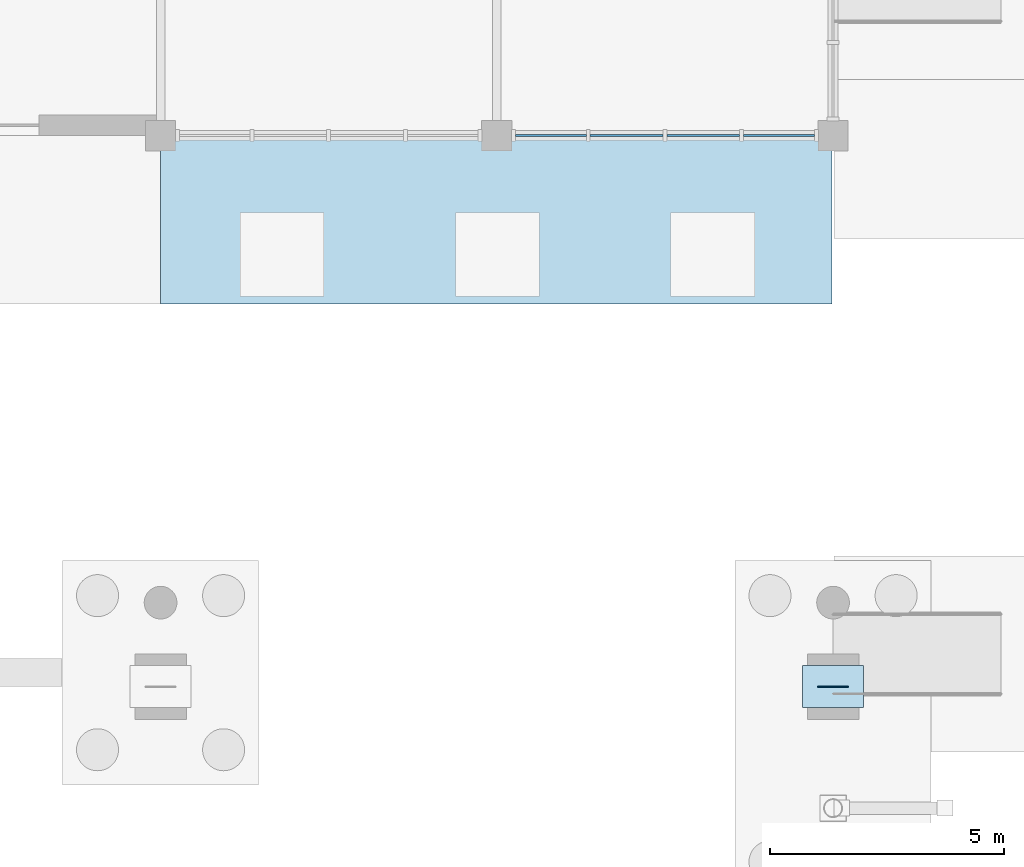
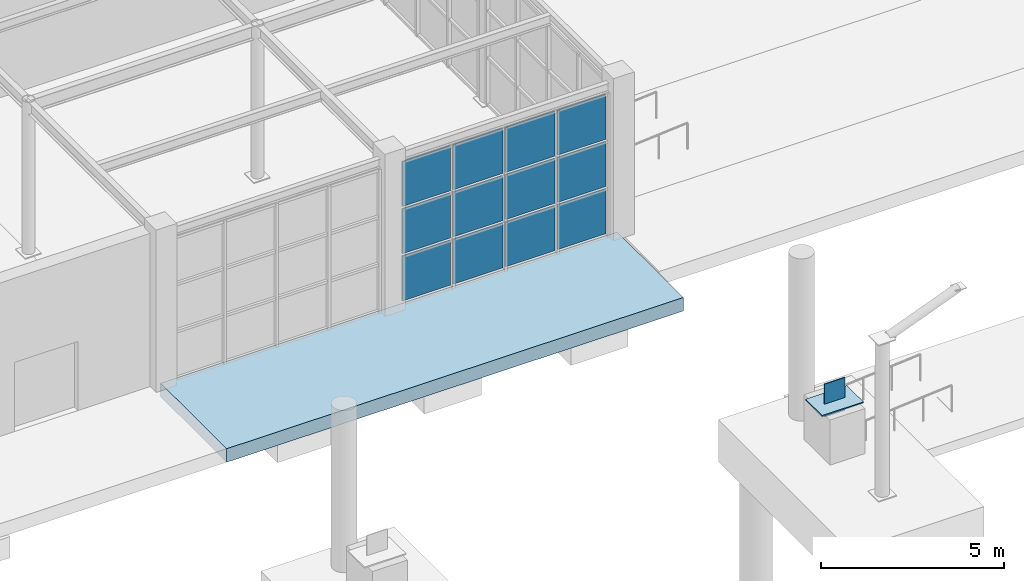
# One storey, part 43 of 75: 14 plates, 1 slab, 1 element without a shape of its own.
"""IFC4 building model written with IfcOpenShell, lengths in metres."""

import ifcopenshell
import ifcopenshell.guid

model = None  # the IFC model being written
_history = None  # IfcOwnerHistory: only IFC2X3 demands one
_inside = {}  # id of a spatial element -> (the spatial element, [elements in it])
_under = {}  # id of a project, library or spatial element -> (it, [spatial elements below it])
_declared = {}  # id of a project -> (the project, [libraries it declares])
_typed = {}  # id of a type object -> (the type object, [elements of that type])
_made_of = {}  # id of a material, layer set ... -> (it, [elements and type objects made of it])


def new_model(schema):
    """Start an empty IFC model of exactly this schema.

    Asked for "IFC4X3", IfcOpenShell would pick the latest addendum, in which some entities
    have other attributes; the version numbers below select the first issue.
    IFC2X3 requires an IfcOwnerHistory on every rooted entity: one is made here for all.
    """
    global model, _history
    if schema == "IFC4X3":
        model = ifcopenshell.file(schema_version=(4, 3, 0, 0))
    else:
        model = ifcopenshell.file(schema=schema)
    _inside.clear()
    _under.clear()
    _declared.clear()
    _typed.clear()
    _made_of.clear()
    _history = None
    if model.schema == "IFC2X3":
        org = make("IfcOrganization", Name="unknown")
        user = make(
            "IfcPersonAndOrganization",
            ThePerson=make("IfcPerson", FamilyName="unknown"),
            TheOrganization=org,
        )
        app = make(
            "IfcApplication",
            ApplicationDeveloper=org,
            Version="unknown",
            ApplicationFullName="unknown",
            ApplicationIdentifier="unknown",
        )
        _history = make(
            "IfcOwnerHistory",
            OwningUser=user,
            OwningApplication=app,
            ChangeAction="ADDED",
            CreationDate=0,
        )
    return model


def make(cls, **values):
    """One entity of the class cls with the attributes given. An attribute that is None is left unset."""
    return model.create_entity(
        cls, **{name: value for name, value in values.items() if value is not None}
    )


def rooted(cls, **values):
    """An entity with a GlobalId (a new one), such as an element, a storey or a relation."""
    return make(cls, GlobalId=ifcopenshell.guid.new(), OwnerHistory=_history, **values)


def si_unit(unit_type, name, prefix=None):
    """IfcSIUnit, for example si_unit("LENGTHUNIT", "METRE", prefix="MILLI")."""
    return make("IfcSIUnit", UnitType=unit_type, Prefix=prefix, Name=name)


def assignment(units):
    """IfcUnitAssignment: the units of a project."""
    return None if units is None else make("IfcUnitAssignment", Units=units)


def point(xyz):
    """IfcCartesianPoint."""
    return None if xyz is None else make("IfcCartesianPoint", Coordinates=xyz)


def direction(xyz):
    """IfcDirection."""
    return None if xyz is None else make("IfcDirection", DirectionRatios=xyz)


def frame(location, z_axis=None, x_axis=None):
    """IfcAxis2Placement3D, a coordinate frame: its origin and axes. An axis left out is left unset."""
    return make(
        "IfcAxis2Placement3D",
        Location=point(location),
        Axis=direction(z_axis),
        RefDirection=direction(x_axis),
    )


def frame_2d(location, x_axis=None):
    """IfcAxis2Placement2D, a coordinate frame in the plane: its origin and x axis."""
    return make(
        "IfcAxis2Placement2D", Location=point(location), RefDirection=direction(x_axis)
    )


def origin():
    """The frame at (0, 0, 0) with its axes left unset."""
    return frame((0.0, 0.0, 0.0))


def origin_2d():
    """The frame at (0, 0) in the plane with its x axis left unset."""
    return frame_2d((0.0, 0.0))


def place(relative_to, where):
    """IfcLocalPlacement: puts the frame where relative to a parent placement (None: the world)."""
    return make(
        "IfcLocalPlacement", PlacementRelTo=relative_to, RelativePlacement=where
    )


def context(
    kind, dimensions, precision=None, world=None, true_north=None, identifier=None
):
    """IfcGeometricRepresentationContext, for example the 3D "Model" context."""
    return make(
        "IfcGeometricRepresentationContext",
        ContextIdentifier=identifier,
        ContextType=kind,
        CoordinateSpaceDimension=dimensions,
        Precision=precision,
        WorldCoordinateSystem=world,
        TrueNorth=true_north,
    )


def subcontext(parent, identifier, kind, view, scale=None):
    """IfcGeometricRepresentationSubContext, for example "Body" below "Model"."""
    return make(
        "IfcGeometricRepresentationSubContext",
        ContextIdentifier=identifier,
        ContextType=kind,
        ParentContext=parent,
        TargetScale=scale,
        TargetView=view,
    )


def project(units=None, contexts=None):
    """IfcProject with its units and contexts."""
    return rooted(
        "IfcProject",
        Name="project",
        RepresentationContexts=contexts,
        UnitsInContext=assignment(units),
    )


def spatial(cls, under=None, at=None, **own):
    """A site, building, storey or space (cls), placed at a placement, below another one or the project."""
    s = rooted(cls, ObjectPlacement=at, **own)
    if under is not None:
        _under.setdefault(under.id(), (under, []))[1].append(s)
    return s


def polyline(points):
    """IfcPolyline through the points."""
    return make("IfcPolyline", Points=[point(p) for p in points])


def profile(cls, at=None, kind="AREA", **sizes):
    """A parametric profile (cls). Its sizes go by their IFC names, for example OverallWidth=200.0."""
    return make(cls, ProfileType=kind, Position=at, **sizes)


def rectangle(**sizes):
    """IfcRectangleProfileDef."""
    return profile("IfcRectangleProfileDef", **sizes)


def outline(outer, holes=None, kind="AREA"):
    """IfcArbitraryClosedProfileDef: a profile drawn as a closed curve; with holes, ...WithVoids."""
    if holes is None:
        return make("IfcArbitraryClosedProfileDef", ProfileType=kind, OuterCurve=outer)
    return make(
        "IfcArbitraryProfileDefWithVoids",
        ProfileType=kind,
        OuterCurve=outer,
        InnerCurves=holes,
    )


def extrude(swept, where, along, depth):
    """IfcExtrudedAreaSolid: the profile swept, set in the frame where, extruded along a direction by depth."""
    return make(
        "IfcExtrudedAreaSolid",
        SweptArea=swept,
        Position=where,
        ExtrudedDirection=direction(along),
        Depth=depth,
    )


def shape(context_of_items, identifier, shape_type, items):
    """IfcShapeRepresentation: the items that make up one representation, for example the "Body"."""
    return make(
        "IfcShapeRepresentation",
        ContextOfItems=context_of_items,
        RepresentationIdentifier=identifier,
        RepresentationType=shape_type,
        Items=items,
    )


def material(Name=None, Category=None):
    """IfcMaterial."""
    return make("IfcMaterial", Name=Name, Category=Category)


def layer(
    of_material, thickness, ventilated=None, Name=None, Category=None, Priority=None
):
    """IfcMaterialLayer: one layer of a wall or slab, of a material (None: an air gap)."""
    return make(
        "IfcMaterialLayer",
        Material=of_material,
        LayerThickness=thickness,
        IsVentilated=ventilated,
        Name=Name,
        Category=Category,
        Priority=Priority,
    )


def layer_set(layers, Name=None):
    """IfcMaterialLayerSet."""
    return make("IfcMaterialLayerSet", MaterialLayers=layers, LayerSetName=Name)


def made_of(thing, what):
    """Note that an element or type object is made of a material, layer set ...; save() writes the relation."""
    if what is not None:
        _made_of.setdefault(what.id(), (what, []))[1].append(thing)
    return thing


def type_object(cls, material=None, **own):
    """A type object (cls), such as IfcWallType, which elements share."""
    return made_of(rooted(cls, **own), material)


def element(
    cls,
    number,
    at=None,
    inside=None,
    cuts=None,
    type_object=None,
    material=None,
    context=None,
    identifier="Body",
    shape_type=None,
    held_by="IfcProductDefinitionShape",
    body=None,
    shapes=None,
    **own,
):
    """One element of the class cls, such as IfcWall. Its Tag is "e" and its number.

    at: its placement. inside: the storey or other place that contains it. cuts: it is an
    opening in that element (IfcRelVoidsElement). A single representation is given by context,
    identifier, shape_type and body (its items); several are given by shapes. held_by: the class
    of the entity that holds the representations. save() writes the other relations.
    """
    e = rooted(cls, Tag="e%d" % number, ObjectPlacement=at, **own)
    if body is not None:
        shapes = [shape(context, identifier, shape_type, body)]
    if shapes is not None:
        e.Representation = make(held_by, Representations=shapes)
    if inside is not None:
        _inside.setdefault(inside.id(), (inside, []))[1].append(e)
    if cuts is not None:
        rooted(
            "IfcRelVoidsElement", RelatingBuildingElement=cuts, RelatedOpeningElement=e
        )
    if type_object is not None:
        _typed.setdefault(type_object.id(), (type_object, []))[1].append(e)
    return made_of(e, material)


def aggregate(whole, parts):
    """IfcRelAggregates: a whole, such as a stair, and the parts it consists of."""
    return rooted("IfcRelAggregates", RelatingObject=whole, RelatedObjects=parts)


def save(model, path):
    """Write the relations noted so far, then the file.

    IfcRelAggregates (storeys below a building ...), IfcRelContainedInSpatialStructure (elements
    in a storey), IfcRelDefinesByType, IfcRelAssociatesMaterial and IfcRelDeclares: one each for
    every whole, place, type object, material and project.
    """
    for whole, parts in _under.values():
        aggregate(whole, parts)
    for where, things in _inside.values():
        rooted(
            "IfcRelContainedInSpatialStructure",
            RelatedElements=things,
            RelatingStructure=where,
        )
    for kind, things in _typed.values():
        rooted("IfcRelDefinesByType", RelatedObjects=things, RelatingType=kind)
    for what, things in _made_of.values():
        rooted("IfcRelAssociatesMaterial", RelatedObjects=things, RelatingMaterial=what)
    for by, libraries in _declared.values():
        rooted("IfcRelDeclares", RelatingContext=by, RelatedDefinitions=libraries)
    model.write(path)


model = new_model("IFC4")

# Units and contexts
model_context = context("Model", 3, precision=1e-05, world=origin(), true_north=direction((0.0, 1.0)))
body_context = subcontext(model_context, "Body", "Model", "MODEL_VIEW")
ifc_project = project(units=[si_unit("LENGTHUNIT", "METRE"), si_unit("AREAUNIT", "SQUARE_METRE"), si_unit("VOLUMEUNIT", "CUBIC_METRE"), si_unit("PLANEANGLEUNIT", "RADIAN"), si_unit("MASSUNIT", "GRAM", prefix="KILO")], contexts=[model_context])

# Site, building, storey
site_placement = place(None, origin())
site = spatial("IfcSite", under=ifc_project, at=site_placement, CompositionType="ELEMENT")
building_placement = place(site_placement, origin())
building = spatial("IfcBuilding", under=site, at=building_placement, Name="Leyfeld Transit Interchange", CompositionType="ELEMENT")
storey_placement = place(building_placement, origin())
storey = spatial("IfcBuildingStorey", under=building, at=storey_placement, Name="L00", CompositionType="ELEMENT", Elevation=0.0)

# Curtain wall, plates
ifc_material_1 = material(Name="Anodised aluminium EN AW-6060 T66", Category="aluminium")
curtain_wall_type = type_object("IfcCurtainWallType", Name="CW-SYS-ARC-7200", PredefinedType="NOTDEFINED", material=ifc_material_1)
curtain_wall_placement = place(storey_placement, origin())
curtain_wall = element("IfcCurtainWall", 1, at=curtain_wall_placement, inside=storey, type_object=curtain_wall_type, Name="Curtain Wall CW-L00-032", PredefinedType="NOTDEFINED")
ifc_material_2 = material(Name="Triple low-E insulated glazing", Category="glass")
ifc_layer_1 = layer(ifc_material_2, 0.0439453125, Name="Triple low-E insulated glazing")
ifc_layer_set_1 = layer_set([ifc_layer_1], Name="Triple low-E insulated glazing")
plate_type_1 = type_object("IfcPlateType", Name="CW-PNL-GLZ-44", PredefinedType="CURTAIN_PANEL", material=ifc_layer_set_1)
plate_1_placement = place(storey_placement, frame((99.642578125, 14.39990234375, 0.08349609375), z_axis=(0.0, 0.0, 1.0), x_axis=(-1.0, 0.0, 0.0)))
plate_1 = element("IfcPlate", 2, at=plate_1_placement, type_object=plate_type_1, Name="Glazed Curtain Panel CW-L00-032-P01_1", PredefinedType="CURTAIN_PANEL", context=body_context, shape_type="SweptSolid", body=[
    extrude(rectangle(XDim=1.51806640625, YDim=0.0439453125, at=origin_2d()), origin(), (0.0, 0.0, 1.0), 1.48974609375),
])
plate_2_placement = place(storey_placement, frame((99.642578125, 14.39990234375, 1.6552734375), z_axis=(0.0, 0.0, 1.0), x_axis=(-1.0, 0.0, 0.0)))
plate_2 = element("IfcPlate", 3, at=plate_2_placement, type_object=plate_type_1, Name="Glazed Curtain Panel CW-L00-032-P01_2", PredefinedType="CURTAIN_PANEL", context=body_context, shape_type="SweptSolid", body=[
    extrude(rectangle(XDim=1.51806640625, YDim=0.0439453125, at=origin_2d()), origin(), (0.0, 0.0, 1.0), 1.489501953125),
])
plate_3_placement = place(storey_placement, frame((99.642578125, 14.39990234375, 3.226806640625), z_axis=(0.0, 0.0, 1.0), x_axis=(-1.0, 0.0, 0.0)))
plate_3 = element("IfcPlate", 4, at=plate_3_placement, type_object=plate_type_1, Name="Glazed Curtain Panel CW-L00-032-P01_3", PredefinedType="CURTAIN_PANEL", context=body_context, shape_type="SweptSolid", body=[
    extrude(rectangle(XDim=1.51806640625, YDim=0.0439453125, at=origin_2d()), origin(), (0.0, 0.0, 1.0), 1.48974609375),
])
plate_4_placement = place(storey_placement, frame((98.021240234375, 14.39990234375, 0.08349609375), z_axis=(0.0, 0.0, 1.0), x_axis=(-1.0, 0.0, 0.0)))
plate_4 = element("IfcPlate", 5, at=plate_4_placement, type_object=plate_type_1, Name="Glazed Curtain Panel CW-L00-032-P02_1", PredefinedType="CURTAIN_PANEL", context=body_context, shape_type="SweptSolid", body=[
    extrude(rectangle(XDim=1.560546875, YDim=0.0439453125, at=origin_2d()), origin(), (0.0, 0.0, 1.0), 1.48974609375),
])
plate_5_placement = place(storey_placement, frame((98.021240234375, 14.39990234375, 1.6552734375), z_axis=(0.0, 0.0, 1.0), x_axis=(-1.0, 0.0, 0.0)))
plate_5 = element("IfcPlate", 6, at=plate_5_placement, type_object=plate_type_1, Name="Glazed Curtain Panel CW-L00-032-P02_2", PredefinedType="CURTAIN_PANEL", context=body_context, shape_type="SweptSolid", body=[
    extrude(rectangle(XDim=1.560546875, YDim=0.0439453125, at=origin_2d()), origin(), (0.0, 0.0, 1.0), 1.489501953125),
])
plate_6_placement = place(storey_placement, frame((98.021240234375, 14.39990234375, 3.226806640625), z_axis=(0.0, 0.0, 1.0), x_axis=(-1.0, 0.0, 0.0)))
plate_6 = element("IfcPlate", 7, at=plate_6_placement, type_object=plate_type_1, Name="Glazed Curtain Panel CW-L00-032-P02_3", PredefinedType="CURTAIN_PANEL", context=body_context, shape_type="SweptSolid", body=[
    extrude(rectangle(XDim=1.560546875, YDim=0.0439453125, at=origin_2d()), origin(), (0.0, 0.0, 1.0), 1.48974609375),
])
plate_7_placement = place(storey_placement, frame((96.378662109375, 14.39990234375, 0.08349609375), z_axis=(0.0, 0.0, 1.0), x_axis=(-1.0, 0.0, 0.0)))
plate_7 = element("IfcPlate", 8, at=plate_7_placement, type_object=plate_type_1, Name="Glazed Curtain Panel CW-L00-032-P03_1", PredefinedType="CURTAIN_PANEL", context=body_context, shape_type="SweptSolid", body=[
    extrude(rectangle(XDim=1.560546875, YDim=0.0439453125, at=origin_2d()), origin(), (0.0, 0.0, 1.0), 1.48974609375),
])
plate_8_placement = place(storey_placement, frame((96.378662109375, 14.39990234375, 1.6552734375), z_axis=(0.0, 0.0, 1.0), x_axis=(-1.0, 0.0, 0.0)))
plate_8 = element("IfcPlate", 9, at=plate_8_placement, type_object=plate_type_1, Name="Glazed Curtain Panel CW-L00-032-P03_2", PredefinedType="CURTAIN_PANEL", context=body_context, shape_type="SweptSolid", body=[
    extrude(rectangle(XDim=1.560546875, YDim=0.0439453125, at=origin_2d()), origin(), (0.0, 0.0, 1.0), 1.489501953125),
])
plate_9_placement = place(storey_placement, frame((96.378662109375, 14.39990234375, 3.226806640625), z_axis=(0.0, 0.0, 1.0), x_axis=(-1.0, 0.0, 0.0)))
plate_9 = element("IfcPlate", 10, at=plate_9_placement, type_object=plate_type_1, Name="Glazed Curtain Panel CW-L00-032-P03_3", PredefinedType="CURTAIN_PANEL", context=body_context, shape_type="SweptSolid", body=[
    extrude(rectangle(XDim=1.560546875, YDim=0.0439453125, at=origin_2d()), origin(), (0.0, 0.0, 1.0), 1.48974609375),
])
plate_10_placement = place(storey_placement, frame((94.757568359375, 14.39990234375, 0.08349609375), z_axis=(0.0, 0.0, 1.0), x_axis=(-1.0, 0.0, 0.0)))
plate_10 = element("IfcPlate", 11, at=plate_10_placement, type_object=plate_type_1, Name="Glazed Curtain Panel CW-L00-032-P04_1", PredefinedType="CURTAIN_PANEL", context=body_context, shape_type="SweptSolid", body=[
    extrude(rectangle(XDim=1.51806640625, YDim=0.0439453125, at=origin_2d()), origin(), (0.0, 0.0, 1.0), 1.48974609375),
])
plate_11_placement = place(storey_placement, frame((94.757568359375, 14.39990234375, 1.6552734375), z_axis=(0.0, 0.0, 1.0), x_axis=(-1.0, 0.0, 0.0)))
plate_11 = element("IfcPlate", 12, at=plate_11_placement, type_object=plate_type_1, Name="Glazed Curtain Panel CW-L00-032-P04_2", PredefinedType="CURTAIN_PANEL", context=body_context, shape_type="SweptSolid", body=[
    extrude(rectangle(XDim=1.51806640625, YDim=0.0439453125, at=origin_2d()), origin(), (0.0, 0.0, 1.0), 1.489501953125),
])
plate_12_placement = place(storey_placement, frame((94.757568359375, 14.39990234375, 3.226806640625), z_axis=(0.0, 0.0, 1.0), x_axis=(-1.0, 0.0, 0.0)))
plate_12 = element("IfcPlate", 13, at=plate_12_placement, type_object=plate_type_1, Name="Glazed Curtain Panel CW-L00-032-P04_3", PredefinedType="CURTAIN_PANEL", context=body_context, shape_type="SweptSolid", body=[
    extrude(rectangle(XDim=1.51806640625, YDim=0.0439453125, at=origin_2d()), origin(), (0.0, 0.0, 1.0), 1.48974609375),
])
aggregate(curtain_wall, [plate_1, plate_2, plate_3, plate_4, plate_5, plate_6, plate_7, plate_8, plate_9, plate_10, plate_11, plate_12])

# Plates
ifc_material_3 = material(Name="Steel S355J2", Category="steel")
ifc_layer_2 = layer(ifc_material_3, 0.035888671875, Name="Steel S355J2")
ifc_layer_set_2 = layer_set([ifc_layer_2], Name="Steel S355J2")
plate_type_2 = type_object("IfcPlateType", Name="PLT-BASE-36", PredefinedType="USERDEFINED", material=ifc_layer_set_2)
plate_13_placement = place(storey_placement, frame((100.800048828125, 2.60009765625, 1.5), z_axis=(0.0, 0.0, 1.0), x_axis=(1.0, 0.0, 0.0)))
element("IfcPlate", 14, at=plate_13_placement, inside=storey, type_object=plate_type_2, Name="Arch Baseplate GP-E 1", ObjectType="BASE_PLATE", PredefinedType="USERDEFINED", context=body_context, shape_type="SweptSolid", body=[
    extrude(rectangle(XDim=1.300048828125, YDim=0.89990234375, at=origin_2d()), origin(), (0.0, 0.0, 1.0), 0.035888671875),
])
ifc_material_4 = material(Name="Steel S355J2 - Ochre Arch", Category="steel")
ifc_layer_3 = layer(ifc_material_4, 0.030029296875, Name="Steel S355J2 - Ochre Arch")
ifc_layer_set_3 = layer_set([ifc_layer_3], Name="Steel S355J2 - Ochre Arch")
plate_type_3 = type_object("IfcPlateType", Name="PLT-CAP-30", PredefinedType="USERDEFINED", material=ifc_layer_set_3)
plate_14_placement = place(storey_placement, frame((100.800048828125, 2.60009765625, 1.099853515625), z_axis=(0.0, 0.0, 1.0), x_axis=(1.0, 0.0, 0.0)))
element("IfcPlate", 15, at=plate_14_placement, inside=storey, type_object=plate_type_3, Name="Arch End Cap Plate GP-E 1", ObjectType="FLANGE_PLATE", PredefinedType="USERDEFINED", context=body_context, shape_type="SweptSolid", body=[
    extrude(rectangle(XDim=0.64990234375, YDim=0.030029296875, at=origin_2d()), origin(), (0.0, 0.0, 1.0), 1.10009765625),
])

# Slab
ifc_material_5 = material(Name="Concrete C40/50", Category="concrete")
ifc_layer_4 = layer(ifc_material_5, 0.449951171875, Name="Concrete C40/50")
ifc_layer_set_4 = layer_set([ifc_layer_4], Name="Concrete C40/50")
slab_type = type_object("IfcSlabType", Name="SLB-TRF-450", PredefinedType="FLOOR", material=ifc_layer_set_4)
slab_placement = place(storey_placement, frame((0.0, 0.0, -0.449951171875)))
element("IfcSlab", 16, at=slab_placement, inside=storey, type_object=slab_type, Name="Outdoor Roof Terrace PLZ_LID1 L00", PredefinedType="FLOOR", context=body_context, shape_type="SweptSolid", body=[
    extrude(outline(polyline([(100.77490234375, 14.39990234375), (86.39990234375, 14.39990234375), (86.39990234375, 10.800048828125), (100.77490234375, 10.800048828125), (100.77490234375, 12.199951171875), (100.77490234375, 12.199951171875), (100.77490234375, 15.60009765625), (100.77490234375, 15.60009765625), (100.77490234375, 14.39990234375)])), origin(), (0.0, 0.0, 1.0), 0.449951171875),
])

save(model, "model.ifc")
